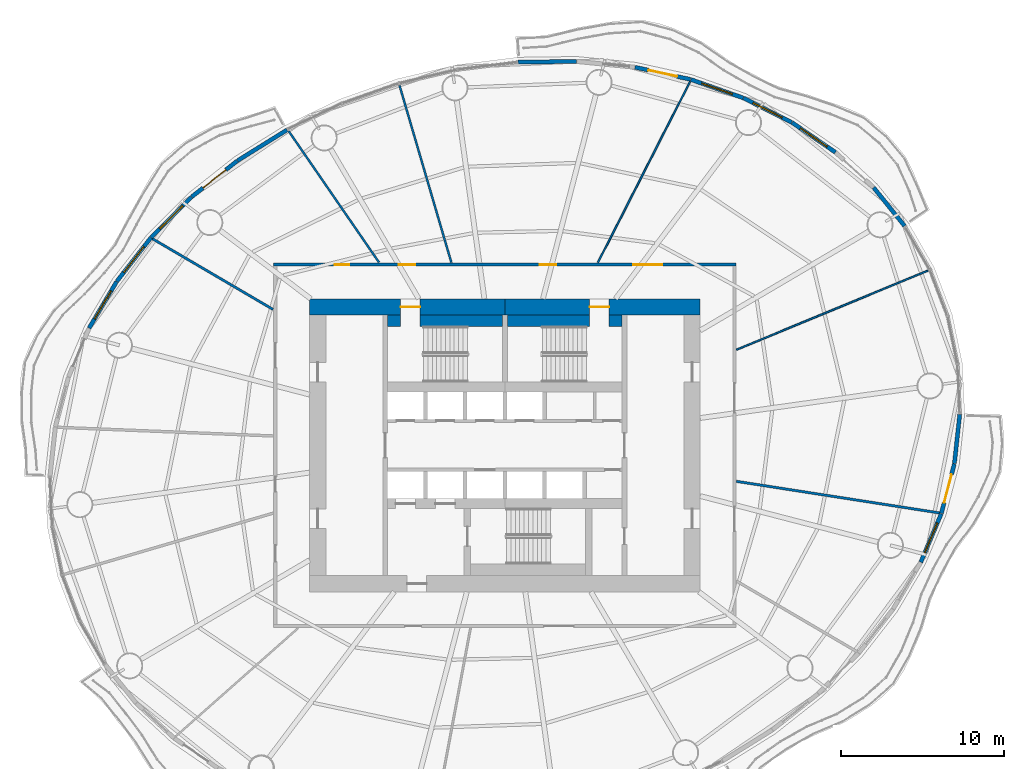
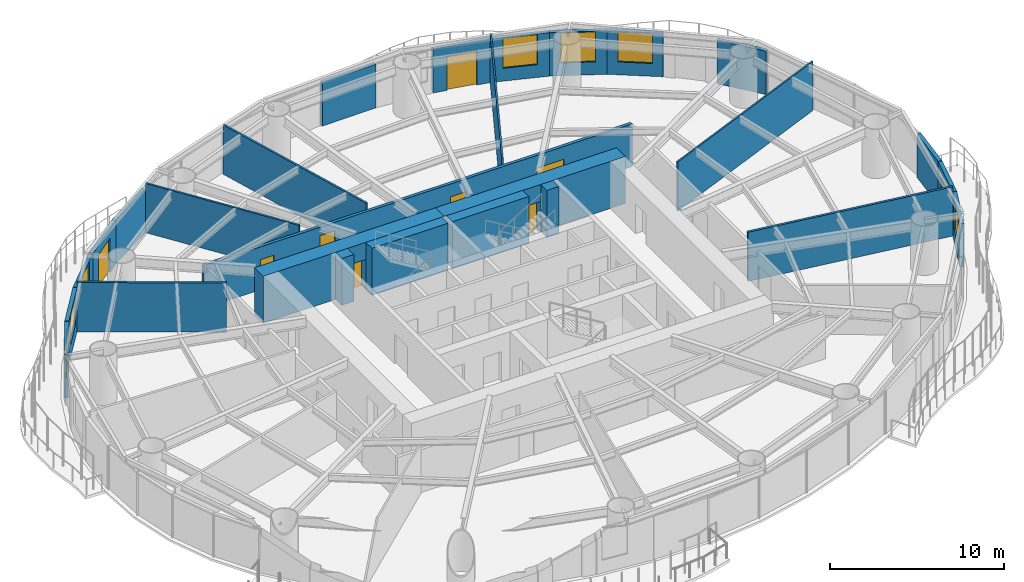
# One storey, part 9 of 16: 27 walls, 9 doors, 7 windows, 16 openings.
"""IFC4 building model written with IfcOpenShell, lengths in metres."""

from ifc_helpers import new_model, si_unit, direction, frame, frame_2d, origin, place, context, subcontext, project, spatial, rectangle, extrude, material, layer, layer_set, type_object, element, fill, save


model = new_model("IFC4")

# Units and contexts
model_context = context("Model", 3, precision=1e-05, world=origin(), true_north=direction((0.0, 1.0)))
body_context = subcontext(model_context, "Body", "Model", "MODEL_VIEW")
ifc_project = project(units=[si_unit("LENGTHUNIT", "METRE"), si_unit("AREAUNIT", "SQUARE_METRE"), si_unit("VOLUMEUNIT", "CUBIC_METRE"), si_unit("PLANEANGLEUNIT", "RADIAN"), si_unit("MASSUNIT", "GRAM", prefix="KILO")], contexts=[model_context])

# Site, building, storey
site_placement = place(None, origin())
site = spatial("IfcSite", under=ifc_project, at=site_placement, CompositionType="ELEMENT")
building_placement = place(site_placement, origin())
building = spatial("IfcBuilding", under=site, at=building_placement, Name="Vermilion Reach Broadcast Tower", CompositionType="ELEMENT")
storey_placement = place(building_placement, frame((0.0, 0.0, 99.39990234375)))
storey = spatial("IfcBuildingStorey", under=building, at=storey_placement, Name="L22", CompositionType="ELEMENT", Elevation=99.39990234375)

# Wall, opening, door
ifc_material_1 = material(Name="Concrete C70", Category="concrete")
ifc_layer_1 = layer(ifc_material_1, 1.0)
ifc_layer_set_1 = layer_set([ifc_layer_1], Name="Core outer wall 1000 mm Concrete C70")
wall_type_1 = type_object("IfcWallType", Name="Core outer wall 1000 mm Concrete C70", PredefinedType="SHEAR", material=ifc_layer_set_1)
wall_1_placement = place(storey_placement, frame((6.0, 8.5, 0.0), z_axis=(0.0, 0.0, 1.0), x_axis=(-1.0, 0.0, 0.0)))
wall_1 = element("IfcWall", 1, at=wall_1_placement, inside=storey, type_object=wall_type_1, Name="L22 core wall onE", PredefinedType="SHEAR", context=body_context, shape_type="SweptSolid", body=[
    extrude(rectangle(XDim=12.0, YDim=1.0, at=frame_2d((6.0, 0.0))), origin(), (0.0, 0.0, 1.0), 3.300048828125),
])
opening_1_placement = place(wall_1_placement, frame((5.60009765625, 0.0, 0.0)))
opening_1 = element("IfcOpeningElement", 2, at=opening_1_placement, cuts=wall_1, Name="Opening D01", PredefinedType="OPENING", context=body_context, shape_type="SweptSolid", body=[
    extrude(rectangle(XDim=1.199951171875, YDim=2.10009765625, at=frame_2d((0.60009765625, 1.050048828125))), frame((0.0, 0.510009765625, 0.0), z_axis=(0.0, -1.0, 0.0), x_axis=(1.0, 0.0, 0.0)), (0.0, 0.0, 1.0), 1.02001953125),
])
ifc_material_2 = material(Name="Painted steel fire door", Category="steel")
door_type_1 = type_object("IfcDoorType", Name="Stair door 1200 x 2100", OperationType="DOUBLE_DOOR_SINGLE_SWING", PredefinedType="NOTDEFINED", material=ifc_material_2)
door_1_placement = place(opening_1_placement, origin())
door_1 = element("IfcDoor", 3, at=door_1_placement, inside=storey, type_object=door_type_1, Name="L22 stair door ST2", OperationType="DOUBLE_DOOR_SINGLE_SWING", OverallHeight=2.10009765625, OverallWidth=1.199951171875, PredefinedType="NOTDEFINED", context=body_context, shape_type="SweptSolid", body=[
    extrude(rectangle(XDim=1.199951171875, YDim=2.10009765625, at=frame_2d((0.60009765625, 1.050048828125))), frame((0.0, 0.02490234375, 0.0), z_axis=(0.0, -1.0, 0.0), x_axis=(1.0, 0.0, 0.0)), (0.0, 0.0, 1.0), 0.050048828125),
])
fill(opening_1, door_1)

wall_2_placement = place(storey_placement, frame((-6.0, 8.5, 0.0), z_axis=(0.0, 0.0, 1.0), x_axis=(-1.0, 0.0, 0.0)))
wall_2 = element("IfcWall", 4, at=wall_2_placement, inside=storey, type_object=wall_type_1, Name="L22 core wall onW", PredefinedType="SHEAR", context=body_context, shape_type="SweptSolid", body=[
    extrude(rectangle(XDim=12.0, YDim=1.0, at=frame_2d((6.0, 0.0))), origin(), (0.0, 0.0, 1.0), 3.300048828125),
])
opening_2_placement = place(wall_2_placement, frame((5.199951171875, 0.0, 0.0)))
opening_2 = element("IfcOpeningElement", 5, at=opening_2_placement, cuts=wall_2, Name="Opening D01", PredefinedType="OPENING", context=body_context, shape_type="SweptSolid", body=[
    extrude(rectangle(XDim=1.199951171875, YDim=2.10009765625, at=frame_2d((0.60009765625, 1.050048828125))), frame((0.0, 0.510009765625, 0.0), z_axis=(0.0, -1.0, 0.0), x_axis=(1.0, 0.0, 0.0)), (0.0, 0.0, 1.0), 1.02001953125),
])
door_2_placement = place(opening_2_placement, origin())
door_2 = element("IfcDoor", 6, at=door_2_placement, inside=storey, type_object=door_type_1, Name="L22 stair door ST1", OperationType="DOUBLE_DOOR_SINGLE_SWING", OverallHeight=2.10009765625, OverallWidth=1.199951171875, PredefinedType="NOTDEFINED", context=body_context, shape_type="SweptSolid", body=[
    extrude(rectangle(XDim=1.199951171875, YDim=2.10009765625, at=frame_2d((0.60009765625, 1.050048828125))), frame((0.0, 0.02490234375, 0.0), z_axis=(0.0, -1.0, 0.0), x_axis=(1.0, 0.0, 0.0)), (0.0, 0.0, 1.0), 0.050048828125),
])
fill(opening_2, door_2)

# Walls
ifc_material_3 = material(Name="Concrete C70", Category="concrete")
ifc_layer_2 = layer(ifc_material_3, 0.699951171875)
ifc_layer_set_2 = layer_set([ifc_layer_2], Name="Core stair wall 700 mm Concrete C70")
wall_type_2 = type_object("IfcWallType", Name="Core stair wall 700 mm Concrete C70", PredefinedType="SHEAR", material=ifc_layer_set_2)
wall_3_placement = place(storey_placement, frame((-13.199951171875, 7.64990234375, 0.0), z_axis=(0.0, 0.0, 1.0), x_axis=(1.0, 0.0, 0.0)))
element("IfcWall", 7, at=wall_3_placement, inside=storey, type_object=wall_type_2, Name="L22 core wall l1a", PredefinedType="SHEAR", context=body_context, shape_type="SweptSolid", body=[
    extrude(rectangle(XDim=0.800048828125, YDim=0.699951171875, at=frame_2d((0.39990234375, 0.0))), origin(), (0.0, 0.0, 1.0), 3.300048828125),
])
for number, where, z_axis, x_axis, name in (
    (8, (-11.199951171875, 7.64990234375, 0.0), (0.0, 0.0, 1.0), (1.0, 0.0, 0.0), "L22 core wall l1b"),
    (9, (-5.85009765625, 7.64990234375, 0.0), (0.0, 0.0, 1.0), (1.0, 0.0, 0.0), "L22 core wall l2a"),
):
    element("IfcWall", number, at=place(storey_placement, frame(where, z_axis=z_axis, x_axis=x_axis)), inside=storey, type_object=wall_type_2, Name=name, PredefinedType="SHEAR", context=body_context, shape_type="SweptSolid", body=[
        extrude(rectangle(XDim=5.050048828125, YDim=0.699951171875, at=frame_2d((2.52490234375, 0.0))), origin(), (0.0, 0.0, 1.0), 3.300048828125),
    ])
wall_4_placement = place(storey_placement, frame((0.39990234375, 7.64990234375, 0.0), z_axis=(0.0, 0.0, 1.0), x_axis=(1.0, 0.0, 0.0)))
element("IfcWall", 10, at=wall_4_placement, inside=storey, type_object=wall_type_2, Name="L22 core wall l2b", PredefinedType="SHEAR", context=body_context, shape_type="SweptSolid", body=[
    extrude(rectangle(XDim=0.800048828125, YDim=0.699951171875, at=frame_2d((0.39990234375, 0.0))), origin(), (0.0, 0.0, 1.0), 3.300048828125),
])
ifc_material_4 = material(Name="Plasterboard on steel stud", Category="steel")
ifc_layer_3 = layer(ifc_material_4, 0.10009765625)
ifc_layer_set_3 = layer_set([ifc_layer_3], Name="Partition 100 steel stud")
wall_type_3 = type_object("IfcWallType", Name="Partition 100 steel stud", PredefinedType="PARTITIONING", material=ifc_layer_set_3)
wall_5_placement = place(storey_placement, frame((19.995849609375, 10.73193359375, 0.0), z_axis=(0.0, 0.0, 1.0), x_axis=(-0.924331668554, -0.381590050325, 0.0)))
element("IfcWall", 11, at=wall_5_placement, inside=storey, type_object=wall_type_3, Name="Partition 22.01", PredefinedType="PARTITIONING", context=body_context, shape_type="SweptSolid", body=[
    extrude(rectangle(XDim=12.740966796875, YDim=0.10009765625, at=frame_2d((6.37060546875, 0.0))), origin(), (0.0, 0.0, 1.0), 3.4501953125),
])
wall_6_placement = place(storey_placement, frame((5.3798828125, 22.350341796875, 0.0), z_axis=(0.0, 0.0, 1.0), x_axis=(-0.453731880265, -0.891138250122, 0.0)))
element("IfcWall", 12, at=wall_6_placement, inside=storey, type_object=wall_type_3, Name="Partition 22.02", PredefinedType="PARTITIONING", context=body_context, shape_type="SweptSolid", body=[
    extrude(rectangle(XDim=12.487060546875, YDim=0.10009765625, at=frame_2d((6.24365234375, 0.0))), origin(), (0.0, 0.0, 1.0), 3.4501953125),
])
ifc_material_5 = material(Name="Fire-rated plasterboard on steel stud", Category="steel")
ifc_layer_4 = layer(ifc_material_5, 0.125)
ifc_layer_set_4 = layer_set([ifc_layer_4], Name="Partition 125 fire-rated stud")
wall_type_4 = type_object("IfcWallType", Name="Partition 125 fire-rated stud", PredefinedType="PARTITIONING", material=ifc_layer_set_4)
wall_7_placement = place(storey_placement, frame((-12.47265625, 22.1064453125, 0.0), z_axis=(0.0, 0.0, 1.0), x_axis=(0.280998817597, -0.959708114225, 0.0)))
element("IfcWall", 13, at=wall_7_placement, inside=storey, type_object=wall_type_4, Name="Partition 22.03", PredefinedType="PARTITIONING", context=body_context, shape_type="SweptSolid", body=[
    extrude(rectangle(XDim=11.34619140625, YDim=0.125, at=frame_2d((5.673095703125, 0.0))), origin(), (0.0, 0.0, 1.0), 3.4501953125),
])
wall_8_placement = place(storey_placement, frame((-19.2744140625, 19.292236328125, 0.0), z_axis=(0.0, 0.0, 1.0), x_axis=(0.566847678424, -0.823822620147, 0.0)))
element("IfcWall", 14, at=wall_8_placement, inside=storey, type_object=wall_type_4, Name="Partition 22.04", PredefinedType="PARTITIONING", context=body_context, shape_type="SweptSolid", body=[
    extrude(rectangle(XDim=9.77978515625, YDim=0.125, at=frame_2d((4.889892578125, 0.0))), origin(), (0.0, 0.0, 1.0), 3.4501953125),
])
ifc_material_6 = material(Name="Lightweight concrete block, plastered", Category="concrete")
ifc_layer_5 = layer(ifc_material_6, 0.14990234375)
ifc_layer_set_5 = layer_set([ifc_layer_5], Name="Partition 150 lightweight block")
wall_type_5 = type_object("IfcWallType", Name="Partition 150 lightweight block", PredefinedType="PARTITIONING", material=ifc_layer_set_5)
wall_9_placement = place(storey_placement, frame((-27.637451171875, 12.682861328125, 0.0), z_axis=(0.0, 0.0, 1.0), x_axis=(0.862707391, -0.505703428418, 0.0)))
element("IfcWall", 15, at=wall_9_placement, inside=storey, type_object=wall_type_5, Name="Partition 22.05", PredefinedType="PARTITIONING", context=body_context, shape_type="SweptSolid", body=[
    extrude(rectangle(XDim=8.576904296875, YDim=0.14990234375, at=frame_2d((4.28857421875, 0.0))), origin(), (0.0, 0.0, 1.0), 3.4501953125),
])
wall_10_placement = place(storey_placement, frame((20.68798828125, -4.153076171875, 0.0), z_axis=(0.0, 0.0, 1.0), x_axis=(-0.988106221153, 0.153772870555, 0.0)))
element("IfcWall", 16, at=wall_10_placement, inside=storey, type_object=wall_type_5, Name="Partition 22.11", PredefinedType="PARTITIONING", context=body_context, shape_type="SweptSolid", body=[
    extrude(rectangle(XDim=12.626708984375, YDim=0.14990234375, at=frame_2d((6.3134765625, 0.0))), origin(), (0.0, 0.0, 1.0), 3.4501953125),
])
ifc_material_7 = material(Name="Terracotta rainscreen cladding", Category="masonry")
ifc_layer_6 = layer(ifc_material_7, 0.25)
ifc_layer_set_6 = layer_set([ifc_layer_6], Name="Terracotta rainscreen wall 250")
wall_type_6 = type_object("IfcWallType", Name="Terracotta rainscreen wall 250", PredefinedType="SOLIDWALL", material=ifc_layer_set_6)
wall_11_placement = place(storey_placement, frame((18.55078125, 13.470947265625, 0.0), z_axis=(0.0, 0.0, 1.0), x_axis=(-0.626892577284, 0.779105703064, 0.0)))
element("IfcWall", 17, at=wall_11_placement, inside=storey, type_object=wall_type_6, Name="External wall L22 02", PredefinedType="SOLIDWALL", context=body_context, shape_type="SweptSolid", body=[
    extrude(rectangle(XDim=3.031494140625, YDim=0.25, at=frame_2d((1.515625, 0.0))), origin(), (0.0, 0.0, 1.0), 3.050048828125),
])

# Wall, opening, window
wall_12_placement = place(storey_placement, frame((14.300537109375, 17.99658203125, 0.0), z_axis=(0.0, 0.0, 1.0), x_axis=(-0.824260519644, 0.566210734405, 0.0)))
wall_12 = element("IfcWall", 18, at=wall_12_placement, inside=storey, type_object=wall_type_6, Name="External wall L22 04", PredefinedType="SOLIDWALL", context=body_context, shape_type="SweptSolid", body=[
    extrude(rectangle(XDim=3.225341796875, YDim=0.25, at=frame_2d((1.61279296875, 0.0))), origin(), (0.0, 0.0, 1.0), 3.050048828125),
])
opening_3_placement = place(wall_12_placement, frame((0.612548828125, 0.0, 0.89990234375)))
opening_3 = element("IfcOpeningElement", 19, at=opening_3_placement, cuts=wall_12, Name="Opening W03", PredefinedType="OPENING", context=body_context, shape_type="SweptSolid", body=[
    extrude(rectangle(XDim=2.0, YDim=2.10009765625, at=frame_2d((1.0, 1.050048828125))), frame((0.0, 0.135009765625, 0.0), z_axis=(0.0, -1.0, 0.0), x_axis=(1.0, 0.0, 0.0)), (0.0, 0.0, 1.0), 0.27001953125),
])
ifc_material_8 = material(Name="Low-e laminated clear glass in aluminium frame", Category="aluminium")
window_type = type_object("IfcWindowType", Name="Punched window 2000 x 2100 sill 900", PartitioningType="SINGLE_PANEL", PredefinedType="WINDOW", material=ifc_material_8)
window_1_placement = place(opening_3_placement, origin())
window_1 = element("IfcWindow", 20, at=window_1_placement, inside=storey, type_object=window_type, Name="Window L22 04", OverallHeight=2.10009765625, OverallWidth=2.0, PartitioningType="SINGLE_PANEL", PredefinedType="WINDOW", context=body_context, shape_type="SweptSolid", body=[
    extrude(rectangle(XDim=2.0, YDim=2.10009765625, at=frame_2d((1.0, 1.050048828125))), frame((0.0, 0.030029296875, 0.0), z_axis=(0.0, -1.0, 0.0), x_axis=(1.0, 0.0, 0.0)), (0.0, 0.0, 1.0), 0.06005859375),
])
fill(opening_3, window_1)

wall_13_placement = place(storey_placement, frame((11.620849609375, 19.83544921875, 0.0), z_axis=(0.0, 0.0, 1.0), x_axis=(-0.893097754404, 0.449862646904, 0.0)))
wall_13 = element("IfcWall", 21, at=wall_13_placement, inside=storey, type_object=wall_type_6, Name="External wall L22 05", PredefinedType="SOLIDWALL", context=body_context, shape_type="SweptSolid", body=[
    extrude(rectangle(XDim=3.3154296875, YDim=0.25, at=frame_2d((1.65771484375, 0.0))), origin(), (0.0, 0.0, 1.0), 3.050048828125),
])
opening_4_placement = place(wall_13_placement, frame((0.65771484375, 0.0, 0.89990234375)))
opening_4 = element("IfcOpeningElement", 22, at=opening_4_placement, cuts=wall_13, Name="Opening W03", PredefinedType="OPENING", context=body_context, shape_type="SweptSolid", body=[
    extrude(rectangle(XDim=2.0, YDim=2.10009765625, at=frame_2d((1.0, 1.050048828125))), frame((0.0, 0.135009765625, 0.0), z_axis=(0.0, -1.0, 0.0), x_axis=(1.0, 0.0, 0.0)), (0.0, 0.0, 1.0), 0.27001953125),
])
window_2_placement = place(opening_4_placement, origin())
window_2 = element("IfcWindow", 23, at=window_2_placement, inside=storey, type_object=window_type, Name="Window L22 05", OverallHeight=2.10009765625, OverallWidth=2.0, PartitioningType="SINGLE_PANEL", PredefinedType="WINDOW", context=body_context, shape_type="SweptSolid", body=[
    extrude(rectangle(XDim=2.0, YDim=2.10009765625, at=frame_2d((1.0, 1.050048828125))), frame((0.0, 0.030029296875, 0.0), z_axis=(0.0, -1.0, 0.0), x_axis=(1.0, 0.0, 0.0)), (0.0, 0.0, 1.0), 0.06005859375),
])
fill(opening_4, window_2)

wall_14_placement = place(storey_placement, frame((8.637939453125, 21.33642578125, 0.0), z_axis=(0.0, 0.0, 1.0), x_axis=(-0.94334314228, 0.331818799819, 0.0)))
wall_14 = element("IfcWall", 24, at=wall_14_placement, inside=storey, type_object=wall_type_6, Name="External wall L22 06", PredefinedType="SOLIDWALL", context=body_context, shape_type="SweptSolid", body=[
    extrude(rectangle(XDim=3.40576171875, YDim=0.25, at=frame_2d((1.702880859375, 0.0))), origin(), (0.0, 0.0, 1.0), 3.050048828125),
])
opening_5_placement = place(wall_14_placement, frame((0.702880859375, 0.0, 0.89990234375)))
opening_5 = element("IfcOpeningElement", 25, at=opening_5_placement, cuts=wall_14, Name="Opening W03", PredefinedType="OPENING", context=body_context, shape_type="SweptSolid", body=[
    extrude(rectangle(XDim=2.0, YDim=2.10009765625, at=frame_2d((1.0, 1.050048828125))), frame((0.0, 0.135009765625, 0.0), z_axis=(0.0, -1.0, 0.0), x_axis=(1.0, 0.0, 0.0)), (0.0, 0.0, 1.0), 0.27001953125),
])
window_3_placement = place(opening_5_placement, origin())
window_3 = element("IfcWindow", 26, at=window_3_placement, inside=storey, type_object=window_type, Name="Window L22 06", OverallHeight=2.10009765625, OverallWidth=2.0, PartitioningType="SINGLE_PANEL", PredefinedType="WINDOW", context=body_context, shape_type="SweptSolid", body=[
    extrude(rectangle(XDim=2.0, YDim=2.10009765625, at=frame_2d((1.0, 1.050048828125))), frame((0.0, 0.030029296875, 0.0), z_axis=(0.0, -1.0, 0.0), x_axis=(1.0, 0.0, 0.0)), (0.0, 0.0, 1.0), 0.06005859375),
])
fill(opening_5, window_3)

# Wall, opening, door
wall_15_placement = place(storey_placement, frame((5.402587890625, 22.472900390625, 0.0), z_axis=(0.0, 0.0, 1.0), x_axis=(-0.976728623895, 0.214478892352, 0.0)))
wall_15 = element("IfcWall", 27, at=wall_15_placement, inside=storey, type_object=wall_type_6, Name="External wall L22 07", PredefinedType="SOLIDWALL", context=body_context, shape_type="SweptSolid", body=[
    extrude(rectangle(XDim=3.4912109375, YDim=0.25, at=frame_2d((1.74560546875, 0.0))), origin(), (0.0, 0.0, 1.0), 3.050048828125),
])
opening_6_placement = place(wall_15_placement, frame((0.845947265625, 0.0, 0.0)))
opening_6 = element("IfcOpeningElement", 28, at=opening_6_placement, cuts=wall_15, Name="Opening D70", PredefinedType="OPENING", context=body_context, shape_type="SweptSolid", body=[
    extrude(rectangle(XDim=1.800048828125, YDim=2.39990234375, at=frame_2d((0.89990234375, 1.199951171875))), frame((0.0, 0.135009765625, 0.0), z_axis=(0.0, -1.0, 0.0), x_axis=(1.0, 0.0, 0.0)), (0.0, 0.0, 1.0), 0.27001953125),
])
ifc_material_9 = material(Name="Low-e laminated clear glass in aluminium frame", Category="aluminium")
door_type_2 = type_object("IfcDoorType", Name="Balcony sliding door 1800 x 2400", OperationType="DOUBLE_DOOR_SLIDING", PredefinedType="DOOR", material=ifc_material_9)
door_3_placement = place(opening_6_placement, origin())
door_3 = element("IfcDoor", 29, at=door_3_placement, inside=storey, type_object=door_type_2, Name="Balcony door L22 run 02", OperationType="DOUBLE_DOOR_SLIDING", OverallHeight=2.39990234375, OverallWidth=1.800048828125, PredefinedType="DOOR", context=body_context, shape_type="SweptSolid", body=[
    extrude(rectangle(XDim=1.800048828125, YDim=2.39990234375, at=frame_2d((0.89990234375, 1.199951171875))), frame((0.0, 0.02490234375, 0.0), z_axis=(0.0, -1.0, 0.0), x_axis=(1.0, 0.0, 0.0)), (0.0, 0.0, 1.0), 0.050048828125),
])
fill(opening_6, door_3)

# Walls
for number, where, z_axis, x_axis, name in (
    (30, (-1.599853515625, 23.579345703125, 0.0), (0.0, 0.0, 1.0), (-0.999907981657, -0.013565700051, 0.0), "External wall L22 09"),
    (31, (-19.38134765625, 19.372802734375, 0.0), (0.0, 0.0, 1.0), (-0.84929028193, -0.527926147316, 0.0), "External wall L22 14"),
):
    element("IfcWall", number, at=place(storey_placement, frame(where, z_axis=z_axis, x_axis=x_axis)), inside=storey, type_object=wall_type_6, Name=name, PredefinedType="SOLIDWALL", context=body_context, shape_type="SweptSolid", body=[
        extrude(rectangle(XDim=3.581298828125, YDim=0.25, at=frame_2d((1.79052734375, 0.0))), origin(), (0.0, 0.0, 1.0), 3.050048828125),
    ])

# Wall, opening, door
wall_16_placement = place(storey_placement, frame((-22.44091796875, 17.469482421875, 0.0), z_axis=(0.0, 0.0, 1.0), x_axis=(-0.784542628433, -0.620074885939, 0.0)))
wall_16 = element("IfcWall", 32, at=wall_16_placement, inside=storey, type_object=wall_type_6, Name="External wall L22 15", PredefinedType="SOLIDWALL", context=body_context, shape_type="SweptSolid", body=[
    extrude(rectangle(XDim=3.565673828125, YDim=0.25, at=frame_2d((1.78271484375, 0.0))), origin(), (0.0, 0.0, 1.0), 3.050048828125),
])
opening_7_placement = place(wall_16_placement, frame((0.883056640625, 0.0, 0.0)))
opening_7 = element("IfcOpeningElement", 33, at=opening_7_placement, cuts=wall_16, Name="Opening D70", PredefinedType="OPENING", context=body_context, shape_type="SweptSolid", body=[
    extrude(rectangle(XDim=1.800048828125, YDim=2.39990234375, at=frame_2d((0.89990234375, 1.199951171875))), frame((0.0, 0.135009765625, 0.0), z_axis=(0.0, -1.0, 0.0), x_axis=(1.0, 0.0, 0.0)), (0.0, 0.0, 1.0), 0.27001953125),
])
door_4_placement = place(opening_7_placement, origin())
door_4 = element("IfcDoor", 34, at=door_4_placement, inside=storey, type_object=door_type_2, Name="Balcony door L22 run 04", OperationType="DOUBLE_DOOR_SLIDING", OverallHeight=2.39990234375, OverallWidth=1.800048828125, PredefinedType="DOOR", context=body_context, shape_type="SweptSolid", body=[
    extrude(rectangle(XDim=1.800048828125, YDim=2.39990234375, at=frame_2d((0.89990234375, 1.199951171875))), frame((0.0, 0.02490234375, 0.0), z_axis=(0.0, -1.0, 0.0), x_axis=(1.0, 0.0, 0.0)), (0.0, 0.0, 1.0), 0.050048828125),
])
fill(opening_7, door_4)

# Wall, opening, window
wall_17_placement = place(storey_placement, frame((-25.255126953125, 15.243408203125, 0.0), z_axis=(0.0, 0.0, 1.0), x_axis=(-0.706861980523, -0.70735149713, 0.0)))
wall_17 = element("IfcWall", 35, at=wall_17_placement, inside=storey, type_object=wall_type_6, Name="External wall L22 16", PredefinedType="SOLIDWALL", context=body_context, shape_type="SweptSolid", body=[
    extrude(rectangle(XDim=3.4912109375, YDim=0.25, at=frame_2d((1.74560546875, 0.0))), origin(), (0.0, 0.0, 1.0), 3.050048828125),
])
opening_8_placement = place(wall_17_placement, frame((0.74560546875, 0.0, 0.89990234375)))
opening_8 = element("IfcOpeningElement", 36, at=opening_8_placement, cuts=wall_17, Name="Opening W03", PredefinedType="OPENING", context=body_context, shape_type="SweptSolid", body=[
    extrude(rectangle(XDim=2.0, YDim=2.10009765625, at=frame_2d((1.0, 1.050048828125))), frame((0.0, 0.135009765625, 0.0), z_axis=(0.0, -1.0, 0.0), x_axis=(1.0, 0.0, 0.0)), (0.0, 0.0, 1.0), 0.27001953125),
])
window_4_placement = place(opening_8_placement, origin())
window_4 = element("IfcWindow", 37, at=window_4_placement, inside=storey, type_object=window_type, Name="Window L22 16", OverallHeight=2.10009765625, OverallWidth=2.0, PartitioningType="SINGLE_PANEL", PredefinedType="WINDOW", context=body_context, shape_type="SweptSolid", body=[
    extrude(rectangle(XDim=2.0, YDim=2.10009765625, at=frame_2d((1.0, 1.050048828125))), frame((0.0, 0.030029296875, 0.0), z_axis=(0.0, -1.0, 0.0), x_axis=(1.0, 0.0, 0.0)), (0.0, 0.0, 1.0), 0.06005859375),
])
fill(opening_8, window_4)

wall_18_placement = place(storey_placement, frame((-27.73828125, 12.756591796875, 0.0), z_axis=(0.0, 0.0, 1.0), x_axis=(-0.615358853005, -0.788247094525, 0.0)))
wall_18 = element("IfcWall", 38, at=wall_18_placement, inside=storey, type_object=wall_type_6, Name="External wall L22 17", PredefinedType="SOLIDWALL", context=body_context, shape_type="SweptSolid", body=[
    extrude(rectangle(XDim=3.406005859375, YDim=0.25, at=frame_2d((1.703125, 0.0))), origin(), (0.0, 0.0, 1.0), 3.050048828125),
])
opening_9_placement = place(wall_18_placement, frame((0.702880859375, 0.0, 0.89990234375)))
opening_9 = element("IfcOpeningElement", 39, at=opening_9_placement, cuts=wall_18, Name="Opening W03", PredefinedType="OPENING", context=body_context, shape_type="SweptSolid", body=[
    extrude(rectangle(XDim=2.0, YDim=2.10009765625, at=frame_2d((1.0, 1.050048828125))), frame((0.0, 0.135009765625, 0.0), z_axis=(0.0, -1.0, 0.0), x_axis=(1.0, 0.0, 0.0)), (0.0, 0.0, 1.0), 0.27001953125),
])
window_5_placement = place(opening_9_placement, origin())
window_5 = element("IfcWindow", 40, at=window_5_placement, inside=storey, type_object=window_type, Name="Window L22 17", OverallHeight=2.10009765625, OverallWidth=2.0, PartitioningType="SINGLE_PANEL", PredefinedType="WINDOW", context=body_context, shape_type="SweptSolid", body=[
    extrude(rectangle(XDim=2.0, YDim=2.10009765625, at=frame_2d((1.0, 1.050048828125))), frame((0.0, 0.030029296875, 0.0), z_axis=(0.0, -1.0, 0.0), x_axis=(1.0, 0.0, 0.0)), (0.0, 0.0, 1.0), 0.06005859375),
])
fill(opening_9, window_5)

wall_19_placement = place(storey_placement, frame((-29.84765625, 10.052001953125, 0.0), z_axis=(0.0, 0.0, 1.0), x_axis=(-0.509364300132, -0.860550991953, 0.0)))
wall_19 = element("IfcWall", 41, at=wall_19_placement, inside=storey, type_object=wall_type_6, Name="External wall L22 18", PredefinedType="SOLIDWALL", context=body_context, shape_type="SweptSolid", body=[
    extrude(rectangle(XDim=3.3154296875, YDim=0.25, at=frame_2d((1.65771484375, 0.0))), origin(), (0.0, 0.0, 1.0), 3.050048828125),
])
opening_10_placement = place(wall_19_placement, frame((0.65771484375, 0.0, 0.89990234375)))
opening_10 = element("IfcOpeningElement", 42, at=opening_10_placement, cuts=wall_19, Name="Opening W03", PredefinedType="OPENING", context=body_context, shape_type="SweptSolid", body=[
    extrude(rectangle(XDim=2.0, YDim=2.10009765625, at=frame_2d((1.0, 1.050048828125))), frame((0.0, 0.135009765625, 0.0), z_axis=(0.0, -1.0, 0.0), x_axis=(1.0, 0.0, 0.0)), (0.0, 0.0, 1.0), 0.27001953125),
])
window_6_placement = place(opening_10_placement, origin())
window_6 = element("IfcWindow", 43, at=window_6_placement, inside=storey, type_object=window_type, Name="Window L22 18", OverallHeight=2.10009765625, OverallWidth=2.0, PartitioningType="SINGLE_PANEL", PredefinedType="WINDOW", context=body_context, shape_type="SweptSolid", body=[
    extrude(rectangle(XDim=2.0, YDim=2.10009765625, at=frame_2d((1.0, 1.050048828125))), frame((0.0, 0.030029296875, 0.0), z_axis=(0.0, -1.0, 0.0), x_axis=(1.0, 0.0, 0.0)), (0.0, 0.0, 1.0), 0.06005859375),
])
fill(opening_10, window_6)

wall_20_placement = place(storey_placement, frame((19.547607421875, -7.1767578125, 0.0), z_axis=(0.0, 0.0, 1.0), x_axis=(0.388723599909, 0.921354417623, 0.0)))
wall_20 = element("IfcWall", 44, at=wall_20_placement, inside=storey, type_object=wall_type_6, Name="External wall L22 43", PredefinedType="SOLIDWALL", context=body_context, shape_type="SweptSolid", body=[
    extrude(rectangle(XDim=3.22509765625, YDim=0.25, at=frame_2d((1.612548828125, 0.0))), origin(), (0.0, 0.0, 1.0), 3.050048828125),
])
opening_11_placement = place(wall_20_placement, frame((0.612548828125, 0.0, 0.89990234375)))
opening_11 = element("IfcOpeningElement", 45, at=opening_11_placement, cuts=wall_20, Name="Opening W03", PredefinedType="OPENING", context=body_context, shape_type="SweptSolid", body=[
    extrude(rectangle(XDim=2.0, YDim=2.10009765625, at=frame_2d((1.0, 1.050048828125))), frame((0.0, 0.135009765625, 0.0), z_axis=(0.0, -1.0, 0.0), x_axis=(1.0, 0.0, 0.0)), (0.0, 0.0, 1.0), 0.27001953125),
])
window_7_placement = place(opening_11_placement, origin())
window_7 = element("IfcWindow", 46, at=window_7_placement, inside=storey, type_object=window_type, Name="Window L22 43", OverallHeight=2.10009765625, OverallWidth=2.0, PartitioningType="SINGLE_PANEL", PredefinedType="WINDOW", context=body_context, shape_type="SweptSolid", body=[
    extrude(rectangle(XDim=2.0, YDim=2.10009765625, at=frame_2d((1.0, 1.050048828125))), frame((0.0, 0.030029296875, 0.0), z_axis=(0.0, -1.0, 0.0), x_axis=(1.0, 0.0, 0.0)), (0.0, 0.0, 1.0), 0.06005859375),
])
fill(opening_11, window_7)

# Wall, opening, door
wall_21_placement = place(storey_placement, frame((20.8095703125, -4.180908203125, 0.0), z_axis=(0.0, 0.0, 1.0), x_axis=(0.25414525883, 0.967166059896, 0.0)))
wall_21 = element("IfcWall", 47, at=wall_21_placement, inside=storey, type_object=wall_type_6, Name="External wall L22 44", PredefinedType="SOLIDWALL", context=body_context, shape_type="SweptSolid", body=[
    extrude(rectangle(XDim=3.142333984375, YDim=0.25, at=frame_2d((1.5712890625, 0.0))), origin(), (0.0, 0.0, 1.0), 3.050048828125),
])
opening_12_placement = place(wall_21_placement, frame((0.6708984375, 0.0, 0.0)))
opening_12 = element("IfcOpeningElement", 48, at=opening_12_placement, cuts=wall_21, Name="Opening D70", PredefinedType="OPENING", context=body_context, shape_type="SweptSolid", body=[
    extrude(rectangle(XDim=1.800048828125, YDim=2.39990234375, at=frame_2d((0.89990234375, 1.199951171875))), frame((0.0, 0.135009765625, 0.0), z_axis=(0.0, -1.0, 0.0), x_axis=(1.0, 0.0, 0.0)), (0.0, 0.0, 1.0), 0.27001953125),
])
door_5_placement = place(opening_12_placement, origin())
door_5 = element("IfcDoor", 49, at=door_5_placement, inside=storey, type_object=door_type_2, Name="Balcony door L22 run 11", OperationType="DOUBLE_DOOR_SLIDING", OverallHeight=2.39990234375, OverallWidth=1.800048828125, PredefinedType="DOOR", context=body_context, shape_type="SweptSolid", body=[
    extrude(rectangle(XDim=1.800048828125, YDim=2.39990234375, at=frame_2d((0.89990234375, 1.199951171875))), frame((0.0, 0.02490234375, 0.0), z_axis=(0.0, -1.0, 0.0), x_axis=(1.0, 0.0, 0.0)), (0.0, 0.0, 1.0), 0.050048828125),
])
fill(opening_12, door_5)

# Wall
wall_22_placement = place(storey_placement, frame((21.61279296875, -1.11572265625, 0.0), z_axis=(0.0, 0.0, 1.0), x_axis=(0.107752917702, 0.994177704803, 0.0)))
element("IfcWall", 50, at=wall_22_placement, inside=storey, type_object=wall_type_6, Name="External wall L22 45", PredefinedType="SOLIDWALL", context=body_context, shape_type="SweptSolid", body=[
    extrude(rectangle(XDim=3.031494140625, YDim=0.25, at=frame_2d((1.515625, 0.0))), origin(), (0.0, 0.0, 1.0), 3.050048828125),
])

# Wall, openings, doors
ifc_material_10 = material(Name="Fire-rated gypsum board partition")
ifc_layer_7 = layer(ifc_material_10, 0.199951171875)
ifc_layer_set_7 = layer_set([ifc_layer_7], Name="Under girder: Corridor wall 200 fire-rated")
wall_type_7 = type_object("IfcWallType", Name="Under girder: Corridor wall 200 fire-rated", PredefinedType="PARTITIONING", material=ifc_layer_set_7)
wall_23_placement = place(storey_placement, frame((-20.199951171875, 11.10009765625, 0.0), z_axis=(0.0, 0.0, 1.0), x_axis=(1.0, 0.0, 0.0)))
wall_23 = element("IfcWall", 51, at=wall_23_placement, inside=storey, type_object=wall_type_7, Name="Corridor wall 22.N", PredefinedType="PARTITIONING", context=body_context, shape_type="SweptSolid", body=[
    extrude(rectangle(XDim=28.39990234375, YDim=0.199951171875, at=frame_2d((14.199951171875, 0.0))), origin(), (0.0, 0.0, 1.0), 3.0),
])
opening_13_placement = place(wall_23_placement, frame((22.07177734375, 0.0, 0.0)))
opening_13 = element("IfcOpeningElement", 52, at=opening_13_placement, cuts=wall_23, Name="Opening D21", PredefinedType="OPENING", context=body_context, shape_type="SweptSolid", body=[
    extrude(rectangle(XDim=1.800048828125, YDim=2.10009765625, at=frame_2d((0.89990234375, 1.050048828125))), frame((0.0, 0.10986328125, 0.0), z_axis=(0.0, -1.0, 0.0), x_axis=(1.0, 0.0, 0.0)), (0.0, 0.0, 1.0), 0.219970703125),
])
opening_14_placement = place(wall_23_placement, frame((16.343017578125, 0.0, 0.0)))
opening_14 = element("IfcOpeningElement", 53, at=opening_14_placement, cuts=wall_23, Name="Opening D20", PredefinedType="OPENING", context=body_context, shape_type="SweptSolid", body=[
    extrude(rectangle(XDim=1.0, YDim=2.10009765625, at=frame_2d((0.5, 1.050048828125))), frame((0.0, 0.10986328125, 0.0), z_axis=(0.0, -1.0, 0.0), x_axis=(1.0, 0.0, 0.0)), (0.0, 0.0, 1.0), 0.219970703125),
])
opening_15_placement = place(wall_23_placement, frame((7.686767578125, 0.0, 0.0)))
opening_15 = element("IfcOpeningElement", 54, at=opening_15_placement, cuts=wall_23, Name="Opening D23", PredefinedType="OPENING", context=body_context, shape_type="SweptSolid", body=[
    extrude(rectangle(XDim=1.0, YDim=2.39990234375, at=frame_2d((0.5, 1.199951171875))), frame((0.0, 0.10986328125, 0.0), z_axis=(0.0, -1.0, 0.0), x_axis=(1.0, 0.0, 0.0)), (0.0, 0.0, 1.0), 0.219970703125),
])
opening_16_placement = place(wall_23_placement, frame((3.74560546875, 0.0, 0.0)))
opening_16 = element("IfcOpeningElement", 55, at=opening_16_placement, cuts=wall_23, Name="Opening D22", PredefinedType="OPENING", context=body_context, shape_type="SweptSolid", body=[
    extrude(rectangle(XDim=0.89990234375, YDim=2.10009765625, at=frame_2d((0.449951171875, 1.050048828125))), frame((0.0, 0.10986328125, 0.0), z_axis=(0.0, -1.0, 0.0), x_axis=(1.0, 0.0, 0.0)), (0.0, 0.0, 1.0), 0.219970703125),
])
ifc_material_11 = material(Name="Timber door leaf", Category="wood")
door_type_3 = type_object("IfcDoorType", Name="Door pair 1800x2100", OperationType="NOTDEFINED", PredefinedType="DOOR", material=ifc_material_11)
door_6_placement = place(opening_13_placement, origin())
door_6 = element("IfcDoor", 56, at=door_6_placement, inside=storey, type_object=door_type_3, Name="Door 22.01", OperationType="DOUBLE_DOOR_SINGLE_SWING", OverallHeight=2.10009765625, OverallWidth=1.800048828125, PredefinedType="DOOR", context=body_context, shape_type="SweptSolid", body=[
    extrude(rectangle(XDim=1.800048828125, YDim=2.10009765625, at=frame_2d((0.89990234375, 1.050048828125))), frame((0.0, 0.02490234375, 0.0), z_axis=(0.0, -1.0, 0.0), x_axis=(1.0, 0.0, 0.0)), (0.0, 0.0, 1.0), 0.050048828125),
])
fill(opening_13, door_6)
ifc_material_12 = material(Name="Timber door leaf", Category="wood")
door_type_4 = type_object("IfcDoorType", Name="Door single 1000x2100", OperationType="NOTDEFINED", PredefinedType="DOOR", material=ifc_material_12)
door_7_placement = place(opening_14_placement, origin())
door_7 = element("IfcDoor", 57, at=door_7_placement, inside=storey, type_object=door_type_4, Name="Door 22.02", OperationType="SINGLE_SWING_RIGHT", OverallHeight=2.10009765625, OverallWidth=1.0, PredefinedType="DOOR", context=body_context, shape_type="SweptSolid", body=[
    extrude(rectangle(XDim=1.0, YDim=2.10009765625, at=frame_2d((0.5, 1.050048828125))), frame((0.0, 0.02490234375, 0.0), z_axis=(0.0, -1.0, 0.0), x_axis=(1.0, 0.0, 0.0)), (0.0, 0.0, 1.0), 0.050048828125),
])
fill(opening_14, door_7)
ifc_material_13 = material(Name="Veneered timber door leaf", Category="wood")
door_type_5 = type_object("IfcDoorType", Name="Door single 1000x2400", OperationType="NOTDEFINED", PredefinedType="DOOR", material=ifc_material_13)
door_8_placement = place(opening_15_placement, origin())
door_8 = element("IfcDoor", 58, at=door_8_placement, inside=storey, type_object=door_type_5, Name="Door 22.03", OperationType="SINGLE_SWING_LEFT", OverallHeight=2.39990234375, OverallWidth=1.0, PredefinedType="DOOR", context=body_context, shape_type="SweptSolid", body=[
    extrude(rectangle(XDim=1.0, YDim=2.39990234375, at=frame_2d((0.5, 1.199951171875))), frame((0.0, 0.02490234375, 0.0), z_axis=(0.0, -1.0, 0.0), x_axis=(1.0, 0.0, 0.0)), (0.0, 0.0, 1.0), 0.050048828125),
])
fill(opening_15, door_8)
ifc_material_14 = material(Name="Timber door leaf", Category="wood")
door_type_6 = type_object("IfcDoorType", Name="Door single 900x2100", OperationType="NOTDEFINED", PredefinedType="DOOR", material=ifc_material_14)
door_9_placement = place(opening_16_placement, origin())
door_9 = element("IfcDoor", 59, at=door_9_placement, inside=storey, type_object=door_type_6, Name="Door 22.04", OperationType="SINGLE_SWING_RIGHT", OverallHeight=2.10009765625, OverallWidth=0.89990234375, PredefinedType="DOOR", context=body_context, shape_type="SweptSolid", body=[
    extrude(rectangle(XDim=0.89990234375, YDim=2.10009765625, at=frame_2d((0.449951171875, 1.050048828125))), frame((0.0, 0.02490234375, 0.0), z_axis=(0.0, -1.0, 0.0), x_axis=(1.0, 0.0, 0.0)), (0.0, 0.0, 1.0), 0.050048828125),
])
fill(opening_16, door_9)

save(model, "model.ifc")
